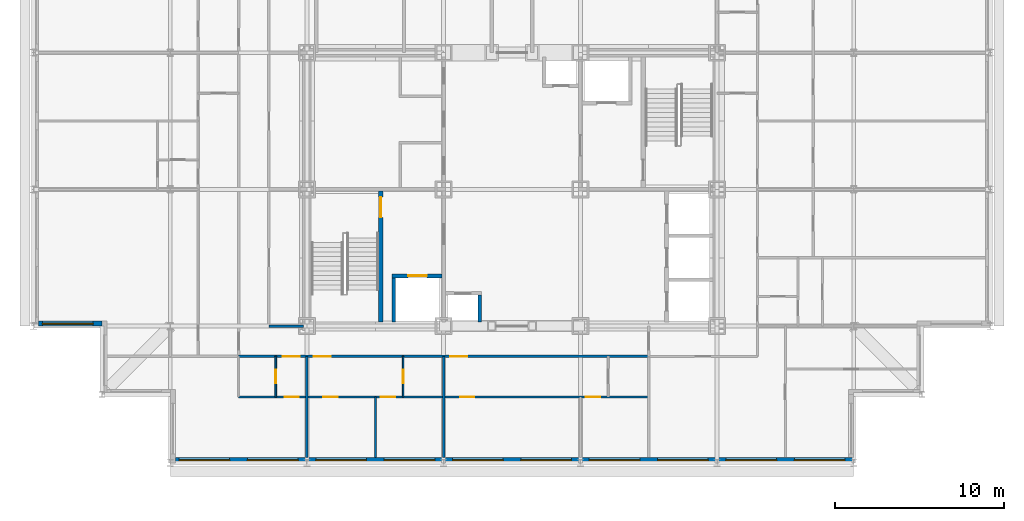
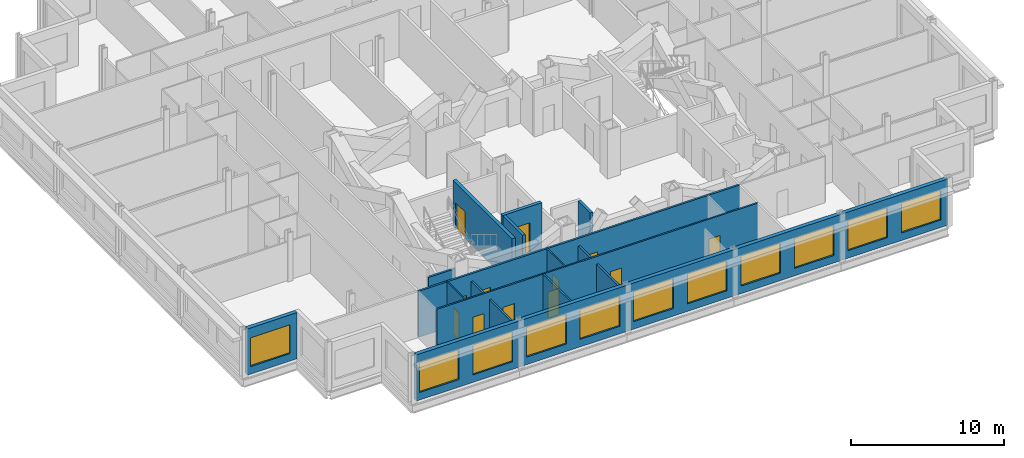
# One storey, part 7 of 15: 14 walls, 12 doors, 11 windows, 23 openings.
"""IFC4 building model written with IfcOpenShell, lengths in metres."""

from ifc_helpers import new_model, si_unit, direction, frame, frame_2d, origin, place, context, subcontext, project, spatial, rectangle, extrude, material, layer, layer_set, type_object, element, fill, save


model = new_model("IFC4")

# Units and contexts
model_context = context("Model", 3, precision=1e-05, world=origin(), true_north=direction((0.0, 1.0)))
body_context = subcontext(model_context, "Body", "Model", "MODEL_VIEW")
ifc_project = project(units=[si_unit("LENGTHUNIT", "METRE"), si_unit("AREAUNIT", "SQUARE_METRE"), si_unit("VOLUMEUNIT", "CUBIC_METRE"), si_unit("PLANEANGLEUNIT", "RADIAN"), si_unit("MASSUNIT", "GRAM", prefix="KILO")], contexts=[model_context])

# Site, building, storey
site_placement = place(None, origin())
site = spatial("IfcSite", under=ifc_project, at=site_placement, CompositionType="ELEMENT")
building_placement = place(site_placement, origin())
building = spatial("IfcBuilding", under=site, at=building_placement, Name="Kopane Lantern Tower", CompositionType="ELEMENT")
storey_placement = place(building_placement, frame((0.0, 0.0, 277.5)))
storey = spatial("IfcBuildingStorey", under=building, at=storey_placement, Name="L71", CompositionType="ELEMENT", Elevation=277.5)

# Wall
ifc_material_1 = material(Name="Gypsum board on steel studs", Category="steel")
ifc_layer_1 = layer(ifc_material_1, 0.1201171875)
ifc_layer_set_1 = layer_set([ifc_layer_1], Name="APARTMENT INTERNAL WALL 120")
wall_type_1 = type_object("IfcWallType", Name="APARTMENT INTERNAL WALL 120", PredefinedType="PARTITIONING", material=ifc_layer_set_1)
wall_1_placement = place(storey_placement, frame((20.25, 20.10009765625, 0.0), z_axis=(0.0, 0.0, 1.0), x_axis=(0.0, -1.0, 0.0)))
element("IfcWall", 1, at=wall_1_placement, inside=storey, type_object=wall_type_1, Name="Apartment Internal Wall 120 L71", PredefinedType="PARTITIONING", context=body_context, shape_type="SweptSolid", body=[
    extrude(rectangle(XDim=3.60009765625, YDim=0.1201171875, at=frame_2d((1.800048828125, 0.0))), origin(), (0.0, 0.0, 1.0), 3.68994140625),
])

# Wall, openings, doors
wall_2_placement = place(storey_placement, frame((12.14990234375, 20.10009765625, 0.0), z_axis=(0.0, 0.0, 1.0), x_axis=(1.0, 0.0, 0.0)))
wall_2 = element("IfcWall", 2, at=wall_2_placement, inside=storey, type_object=wall_type_1, Name="Apartment Internal Wall 120 L71", PredefinedType="PARTITIONING", context=body_context, shape_type="SweptSolid", body=[
    extrude(rectangle(XDim=24.300048828125, YDim=0.1201171875, at=frame_2d((12.14990234375, 0.0))), origin(), (0.0, 0.0, 1.0), 3.68994140625),
])
opening_1_placement = place(wall_2_placement, frame((5.02490234375, 0.0, 0.0)))
opening_1 = element("IfcOpeningElement", 3, at=opening_1_placement, cuts=wall_2, Name="Opening L71-010", PredefinedType="OPENING", context=body_context, shape_type="SweptSolid", body=[
    extrude(rectangle(XDim=0.85009765625, YDim=2.10009765625, at=frame_2d((0.425048828125, 1.050048828125))), frame((0.0, 0.070068359375, 0.0), z_axis=(0.0, -1.0, 0.0), x_axis=(1.0, 0.0, 0.0)), (0.0, 0.0, 1.0), 0.14013671875),
])
opening_2_placement = place(wall_2_placement, frame((8.425048828125, 0.0, 0.0)))
opening_2 = element("IfcOpeningElement", 4, at=opening_2_placement, cuts=wall_2, Name="Opening L71-011", PredefinedType="OPENING", context=body_context, shape_type="SweptSolid", body=[
    extrude(rectangle(XDim=0.85009765625, YDim=2.10009765625, at=frame_2d((0.425048828125, 1.050048828125))), frame((0.0, 0.070068359375, 0.0), z_axis=(0.0, -1.0, 0.0), x_axis=(1.0, 0.0, 0.0)), (0.0, 0.0, 1.0), 0.14013671875),
])
opening_3_placement = place(wall_2_placement, frame((13.125, 0.0, 0.0)))
opening_3 = element("IfcOpeningElement", 5, at=opening_3_placement, cuts=wall_2, Name="Opening L71-014", PredefinedType="OPENING", context=body_context, shape_type="SweptSolid", body=[
    extrude(rectangle(XDim=0.85009765625, YDim=2.10009765625, at=frame_2d((0.425048828125, 1.050048828125))), frame((0.0, 0.070068359375, 0.0), z_axis=(0.0, -1.0, 0.0), x_axis=(1.0, 0.0, 0.0)), (0.0, 0.0, 1.0), 0.14013671875),
])
opening_4_placement = place(wall_2_placement, frame((20.574951171875, 0.0, 0.0)))
opening_4 = element("IfcOpeningElement", 6, at=opening_4_placement, cuts=wall_2, Name="Opening L71-015", PredefinedType="OPENING", context=body_context, shape_type="SweptSolid", body=[
    extrude(rectangle(XDim=0.85009765625, YDim=2.10009765625, at=frame_2d((0.425048828125, 1.050048828125))), frame((0.0, 0.070068359375, 0.0), z_axis=(0.0, -1.0, 0.0), x_axis=(1.0, 0.0, 0.0)), (0.0, 0.0, 1.0), 0.14013671875),
])
opening_5_placement = place(wall_2_placement, frame((2.72509765625, 0.0, 0.0)))
opening_5 = element("IfcOpeningElement", 7, at=opening_5_placement, cuts=wall_2, Name="Opening L71-040", PredefinedType="OPENING", context=body_context, shape_type="SweptSolid", body=[
    extrude(rectangle(XDim=0.85009765625, YDim=2.10009765625, at=frame_2d((0.425048828125, 1.050048828125))), frame((0.0, 0.070068359375, 0.0), z_axis=(0.0, -1.0, 0.0), x_axis=(1.0, 0.0, 0.0)), (0.0, 0.0, 1.0), 0.14013671875),
])
ifc_material_2 = material(Name="Timber door set", Category="wood")
door_type_1 = type_object("IfcDoorType", Name="DOOR D4 850x2100", OperationType="SINGLE_SWING_LEFT", PredefinedType="DOOR", material=ifc_material_2)
door_1_placement = place(opening_1_placement, origin())
door_1 = element("IfcDoor", 8, at=door_1_placement, inside=storey, type_object=door_type_1, Name="Door L71-010", OperationType="SINGLE_SWING_LEFT", OverallHeight=2.10009765625, OverallWidth=0.85009765625, PredefinedType="DOOR", context=body_context, shape_type="SweptSolid", body=[
    extrude(rectangle(XDim=0.85009765625, YDim=2.10009765625, at=frame_2d((0.425048828125, 1.050048828125))), frame((0.0, 0.02490234375, 0.0), z_axis=(0.0, -1.0, 0.0), x_axis=(1.0, 0.0, 0.0)), (0.0, 0.0, 1.0), 0.050048828125),
])
fill(opening_1, door_1)
door_2_placement = place(opening_2_placement, origin())
door_2 = element("IfcDoor", 9, at=door_2_placement, inside=storey, type_object=door_type_1, Name="Door L71-011", OperationType="SINGLE_SWING_RIGHT", OverallHeight=2.10009765625, OverallWidth=0.85009765625, PredefinedType="DOOR", context=body_context, shape_type="SweptSolid", body=[
    extrude(rectangle(XDim=0.85009765625, YDim=2.10009765625, at=frame_2d((0.425048828125, 1.050048828125))), frame((0.0, 0.02490234375, 0.0), z_axis=(0.0, -1.0, 0.0), x_axis=(1.0, 0.0, 0.0)), (0.0, 0.0, 1.0), 0.050048828125),
])
fill(opening_2, door_2)
door_3_placement = place(opening_3_placement, origin())
door_3 = element("IfcDoor", 10, at=door_3_placement, inside=storey, type_object=door_type_1, Name="Door L71-014", OperationType="SINGLE_SWING_RIGHT", OverallHeight=2.10009765625, OverallWidth=0.85009765625, PredefinedType="DOOR", context=body_context, shape_type="SweptSolid", body=[
    extrude(rectangle(XDim=0.85009765625, YDim=2.10009765625, at=frame_2d((0.425048828125, 1.050048828125))), frame((0.0, 0.02490234375, 0.0), z_axis=(0.0, -1.0, 0.0), x_axis=(1.0, 0.0, 0.0)), (0.0, 0.0, 1.0), 0.050048828125),
])
fill(opening_3, door_3)
door_4_placement = place(opening_4_placement, origin())
door_4 = element("IfcDoor", 11, at=door_4_placement, inside=storey, type_object=door_type_1, Name="Door L71-015", OperationType="SINGLE_SWING_RIGHT", OverallHeight=2.10009765625, OverallWidth=0.85009765625, PredefinedType="DOOR", context=body_context, shape_type="SweptSolid", body=[
    extrude(rectangle(XDim=0.85009765625, YDim=2.10009765625, at=frame_2d((0.425048828125, 1.050048828125))), frame((0.0, 0.02490234375, 0.0), z_axis=(0.0, -1.0, 0.0), x_axis=(1.0, 0.0, 0.0)), (0.0, 0.0, 1.0), 0.050048828125),
])
fill(opening_4, door_4)
door_5_placement = place(opening_5_placement, origin())
door_5 = element("IfcDoor", 12, at=door_5_placement, inside=storey, type_object=door_type_1, Name="Door L71-040", OperationType="SINGLE_SWING_LEFT", OverallHeight=2.10009765625, OverallWidth=0.85009765625, PredefinedType="DOOR", context=body_context, shape_type="SweptSolid", body=[
    extrude(rectangle(XDim=0.85009765625, YDim=2.10009765625, at=frame_2d((0.425048828125, 1.050048828125))), frame((0.0, 0.02490234375, 0.0), z_axis=(0.0, -1.0, 0.0), x_axis=(1.0, 0.0, 0.0)), (0.0, 0.0, 1.0), 0.050048828125),
])
fill(opening_5, door_5)

# Wall, opening, door
ifc_material_3 = material(Name="Moisture-resistant board on steel studs", Category="steel")
ifc_layer_2 = layer(ifc_material_3, 0.10009765625)
ifc_layer_set_2 = layer_set([ifc_layer_2], Name="BATHROOM WALL 100")
wall_type_2 = type_object("IfcWallType", Name="BATHROOM WALL 100", PredefinedType="PARTITIONING", material=ifc_layer_set_2)
wall_3_placement = place(storey_placement, frame((21.89990234375, 22.5, 0.0), z_axis=(0.0, 0.0, 1.0), x_axis=(0.0, -1.0, 0.0)))
wall_3 = element("IfcWall", 13, at=wall_3_placement, inside=storey, type_object=wall_type_2, Name="Bathroom Wall 100 L71", PredefinedType="PARTITIONING", context=body_context, shape_type="SweptSolid", body=[
    extrude(rectangle(XDim=2.39990234375, YDim=0.10009765625, at=frame_2d((1.199951171875, 0.0))), origin(), (0.0, 0.0, 1.0), 3.68994140625),
])
opening_6_placement = place(wall_3_placement, frame((0.800048828125, 0.0, 0.0)))
opening_6 = element("IfcOpeningElement", 14, at=opening_6_placement, cuts=wall_3, Name="Opening L71-008", PredefinedType="OPENING", context=body_context, shape_type="SweptSolid", body=[
    extrude(rectangle(XDim=0.800048828125, YDim=2.10009765625, at=frame_2d((0.39990234375, 1.050048828125))), frame((0.0, 0.06005859375, 0.0), z_axis=(0.0, -1.0, 0.0), x_axis=(1.0, 0.0, 0.0)), (0.0, 0.0, 1.0), 0.1201171875),
])
ifc_material_4 = material(Name="Timber door set", Category="wood")
door_type_2 = type_object("IfcDoorType", Name="DOOR D2 800x2100", OperationType="SINGLE_SWING_LEFT", PredefinedType="DOOR", material=ifc_material_4)
door_6_placement = place(opening_6_placement, origin())
door_6 = element("IfcDoor", 15, at=door_6_placement, inside=storey, type_object=door_type_2, Name="Door L71-008", OperationType="SINGLE_SWING_LEFT", OverallHeight=2.10009765625, OverallWidth=0.800048828125, PredefinedType="DOOR", context=body_context, shape_type="SweptSolid", body=[
    extrude(rectangle(XDim=0.800048828125, YDim=2.10009765625, at=frame_2d((0.39990234375, 1.050048828125))), frame((0.0, 0.02490234375, 0.0), z_axis=(0.0, -1.0, 0.0), x_axis=(1.0, 0.0, 0.0)), (0.0, 0.0, 1.0), 0.050048828125),
])
fill(opening_6, door_6)

wall_4_placement = place(storey_placement, frame((14.35009765625, 22.5, 0.0), z_axis=(0.0, 0.0, 1.0), x_axis=(0.0, -1.0, 0.0)))
wall_4 = element("IfcWall", 16, at=wall_4_placement, inside=storey, type_object=wall_type_2, Name="Bathroom Wall 100 L71", PredefinedType="PARTITIONING", context=body_context, shape_type="SweptSolid", body=[
    extrude(rectangle(XDim=2.39990234375, YDim=0.10009765625, at=frame_2d((1.199951171875, 0.0))), origin(), (0.0, 0.0, 1.0), 3.68994140625),
])
opening_7_placement = place(wall_4_placement, frame((0.800048828125, 0.0, 0.0)))
opening_7 = element("IfcOpeningElement", 17, at=opening_7_placement, cuts=wall_4, Name="Opening L71-038", PredefinedType="OPENING", context=body_context, shape_type="SweptSolid", body=[
    extrude(rectangle(XDim=0.800048828125, YDim=2.10009765625, at=frame_2d((0.39990234375, 1.050048828125))), frame((0.0, 0.06005859375, 0.0), z_axis=(0.0, -1.0, 0.0), x_axis=(1.0, 0.0, 0.0)), (0.0, 0.0, 1.0), 0.1201171875),
])
door_7_placement = place(opening_7_placement, origin())
door_7 = element("IfcDoor", 18, at=door_7_placement, inside=storey, type_object=door_type_2, Name="Door L71-038", OperationType="SINGLE_SWING_RIGHT", OverallHeight=2.10009765625, OverallWidth=0.800048828125, PredefinedType="DOOR", context=body_context, shape_type="SweptSolid", body=[
    extrude(rectangle(XDim=0.800048828125, YDim=2.10009765625, at=frame_2d((0.39990234375, 1.050048828125))), frame((0.0, 0.02490234375, 0.0), z_axis=(0.0, -1.0, 0.0), x_axis=(1.0, 0.0, 0.0)), (0.0, 0.0, 1.0), 0.050048828125),
])
fill(opening_7, door_7)

ifc_material_5 = material(Name="Gypsum shaft wall EI 120", Category="gypsum")
ifc_layer_3 = layer(ifc_material_5, 0.25)
ifc_layer_set_3 = layer_set([ifc_layer_3], Name="CORE SHAFT WALL 250 EI 120")
wall_type_3 = type_object("IfcWallType", Name="CORE SHAFT WALL 250 EI 120", PredefinedType="SOLIDWALL", material=ifc_layer_set_3)
wall_5_placement = place(storey_placement, frame((20.574951171875, 24.550048828125, 0.0), z_axis=(0.0, 0.0, 1.0), x_axis=(0.0, 1.0, 0.0)))
wall_5 = element("IfcWall", 19, at=wall_5_placement, inside=storey, type_object=wall_type_3, Name="Core shaft wall L71 XST1", PredefinedType="SOLIDWALL", context=body_context, shape_type="SweptSolid", body=[
    extrude(rectangle(XDim=7.75, YDim=0.25, at=frame_2d((3.875, 0.0))), origin(), (0.0, 0.0, 1.0), 3.68994140625),
])
opening_8_placement = place(wall_5_placement, frame((6.199951171875, 0.0, 0.0)))
opening_8 = element("IfcOpeningElement", 20, at=opening_8_placement, cuts=wall_5, Name="Opening 71.SD1", PredefinedType="OPENING", context=body_context, shape_type="SweptSolid", body=[
    extrude(rectangle(XDim=1.199951171875, YDim=2.10009765625, at=frame_2d((0.60009765625, 1.050048828125))), frame((0.0, 0.135009765625, 0.0), z_axis=(0.0, -1.0, 0.0), x_axis=(1.0, 0.0, 0.0)), (0.0, 0.0, 1.0), 0.27001953125),
])
ifc_material_6 = material(Name="Steel door set", Category="steel")
door_type_3 = type_object("IfcDoorType", Name="STAIR DOOR 1200x2100 FD60S", OperationType="SINGLE_SWING_LEFT", PredefinedType="DOOR", material=ifc_material_6)
door_8_placement = place(opening_8_placement, origin())
door_8 = element("IfcDoor", 21, at=door_8_placement, inside=storey, type_object=door_type_3, Name="Stair door ST1 L71", OperationType="SINGLE_SWING_LEFT", OverallHeight=2.10009765625, OverallWidth=1.199951171875, PredefinedType="DOOR", context=body_context, shape_type="SweptSolid", body=[
    extrude(rectangle(XDim=1.199951171875, YDim=2.10009765625, at=frame_2d((0.60009765625, 1.050048828125))), frame((0.0, 0.02490234375, 0.0), z_axis=(0.0, -1.0, 0.0), x_axis=(1.0, 0.0, 0.0)), (0.0, 0.0, 1.0), 0.050048828125),
])
fill(opening_8, door_8)

wall_6_placement = place(storey_placement, frame((21.25, 27.27490234375, 0.0), z_axis=(0.0, 0.0, 1.0), x_axis=(1.0, 0.0, 0.0)))
wall_6 = element("IfcWall", 22, at=wall_6_placement, inside=storey, type_object=wall_type_3, Name="Core shaft wall L71 YLF1", PredefinedType="SOLIDWALL", context=body_context, shape_type="SweptSolid", body=[
    extrude(rectangle(XDim=2.949951171875, YDim=0.25, at=frame_2d((1.47509765625, 0.0))), origin(), (0.0, 0.0, 1.0), 3.68994140625),
])
opening_9_placement = place(wall_6_placement, frame((0.949951171875, 0.0, 0.0)))
opening_9 = element("IfcOpeningElement", 23, at=opening_9_placement, cuts=wall_6, Name="Opening 71.LD-LF1", PredefinedType="OPENING", context=body_context, shape_type="SweptSolid", body=[
    extrude(rectangle(XDim=1.10009765625, YDim=2.39990234375, at=frame_2d((0.550048828125, 1.199951171875))), frame((0.0, 0.135009765625, 0.0), z_axis=(0.0, -1.0, 0.0), x_axis=(1.0, 0.0, 0.0)), (0.0, 0.0, 1.0), 0.27001953125),
])
ifc_material_7 = material(Name="Steel door set", Category="steel")
door_type_4 = type_object("IfcDoorType", Name="LIFT LANDING DOOR 1100x2400 FD60", OperationType="DOUBLE_DOOR_SLIDING", PredefinedType="DOOR", material=ifc_material_7)
door_9_placement = place(opening_9_placement, origin())
door_9 = element("IfcDoor", 24, at=door_9_placement, inside=storey, type_object=door_type_4, Name="Landing door LF1 L71", OperationType="DOUBLE_DOOR_SLIDING", OverallHeight=2.39990234375, OverallWidth=1.10009765625, PredefinedType="DOOR", context=body_context, shape_type="SweptSolid", body=[
    extrude(rectangle(XDim=1.10009765625, YDim=2.39990234375, at=frame_2d((0.550048828125, 1.199951171875))), frame((0.0, 0.02490234375, 0.0), z_axis=(0.0, -1.0, 0.0), x_axis=(1.0, 0.0, 0.0)), (0.0, 0.0, 1.0), 0.050048828125),
])
fill(opening_9, door_9)

# Wall, openings, doors
ifc_material_8 = material(Name="Gypsum board on steel studs", Category="steel")
ifc_layer_4 = layer(ifc_material_8, 0.14990234375)
ifc_layer_set_4 = layer_set([ifc_layer_4], Name="CORRIDOR WALL 150 EI 60")
wall_type_4 = type_object("IfcWallType", Name="CORRIDOR WALL 150 EI 60", PredefinedType="PARTITIONING", material=ifc_layer_set_4)
wall_7_placement = place(storey_placement, frame((12.14990234375, 22.5, 0.0), z_axis=(0.0, 0.0, 1.0), x_axis=(1.0, 0.0, 0.0)))
wall_7 = element("IfcWall", 25, at=wall_7_placement, inside=storey, type_object=wall_type_4, Name="Corridor Wall 150 Ei 60 L71", PredefinedType="PARTITIONING", context=body_context, shape_type="SweptSolid", body=[
    extrude(rectangle(XDim=24.300048828125, YDim=0.14990234375, at=frame_2d((12.14990234375, 0.0))), origin(), (0.0, 0.0, 1.0), 3.68994140625),
])
opening_10_placement = place(wall_7_placement, frame((4.449951171875, 0.0, 0.0)))
opening_10 = element("IfcOpeningElement", 26, at=opening_10_placement, cuts=wall_7, Name="Opening L71-009", PredefinedType="OPENING", context=body_context, shape_type="SweptSolid", body=[
    extrude(rectangle(XDim=1.0, YDim=2.10009765625, at=frame_2d((0.5, 1.050048828125))), frame((0.0, 0.0849609375, 0.0), z_axis=(0.0, -1.0, 0.0), x_axis=(1.0, 0.0, 0.0)), (0.0, 0.0, 1.0), 0.169921875),
])
opening_11_placement = place(wall_7_placement, frame((12.550048828125, 0.0, 0.0)))
opening_11 = element("IfcOpeningElement", 27, at=opening_11_placement, cuts=wall_7, Name="Opening L71-013", PredefinedType="OPENING", context=body_context, shape_type="SweptSolid", body=[
    extrude(rectangle(XDim=1.0, YDim=2.10009765625, at=frame_2d((0.5, 1.050048828125))), frame((0.0, 0.0849609375, 0.0), z_axis=(0.0, -1.0, 0.0), x_axis=(1.0, 0.0, 0.0)), (0.0, 0.0, 1.0), 0.169921875),
])
opening_12_placement = place(wall_7_placement, frame((2.625, 0.0, 0.0)))
opening_12 = element("IfcOpeningElement", 28, at=opening_12_placement, cuts=wall_7, Name="Opening L71-039", PredefinedType="OPENING", context=body_context, shape_type="SweptSolid", body=[
    extrude(rectangle(XDim=1.0, YDim=2.10009765625, at=frame_2d((0.5, 1.050048828125))), frame((0.0, 0.0849609375, 0.0), z_axis=(0.0, -1.0, 0.0), x_axis=(1.0, 0.0, 0.0)), (0.0, 0.0, 1.0), 0.169921875),
])
ifc_material_9 = material(Name="Steel door set", Category="steel")
door_type_5 = type_object("IfcDoorType", Name="DOOR D3 1000x2100 FD30S", OperationType="SINGLE_SWING_LEFT", PredefinedType="DOOR", material=ifc_material_9)
door_10_placement = place(opening_10_placement, origin())
door_10 = element("IfcDoor", 29, at=door_10_placement, inside=storey, type_object=door_type_5, Name="Door L71-009", OperationType="SINGLE_SWING_RIGHT", OverallHeight=2.10009765625, OverallWidth=1.0, PredefinedType="DOOR", context=body_context, shape_type="SweptSolid", body=[
    extrude(rectangle(XDim=1.0, YDim=2.10009765625, at=frame_2d((0.5, 1.050048828125))), frame((0.0, 0.02490234375, 0.0), z_axis=(0.0, -1.0, 0.0), x_axis=(1.0, 0.0, 0.0)), (0.0, 0.0, 1.0), 0.050048828125),
])
fill(opening_10, door_10)
door_11_placement = place(opening_11_placement, origin())
door_11 = element("IfcDoor", 30, at=door_11_placement, inside=storey, type_object=door_type_5, Name="Door L71-013", OperationType="SINGLE_SWING_RIGHT", OverallHeight=2.10009765625, OverallWidth=1.0, PredefinedType="DOOR", context=body_context, shape_type="SweptSolid", body=[
    extrude(rectangle(XDim=1.0, YDim=2.10009765625, at=frame_2d((0.5, 1.050048828125))), frame((0.0, 0.02490234375, 0.0), z_axis=(0.0, -1.0, 0.0), x_axis=(1.0, 0.0, 0.0)), (0.0, 0.0, 1.0), 0.050048828125),
])
fill(opening_11, door_11)
door_12_placement = place(opening_12_placement, origin())
door_12 = element("IfcDoor", 31, at=door_12_placement, inside=storey, type_object=door_type_5, Name="Door L71-039", OperationType="SINGLE_SWING_RIGHT", OverallHeight=2.10009765625, OverallWidth=1.0, PredefinedType="DOOR", context=body_context, shape_type="SweptSolid", body=[
    extrude(rectangle(XDim=1.0, YDim=2.10009765625, at=frame_2d((0.5, 1.050048828125))), frame((0.0, 0.02490234375, 0.0), z_axis=(0.0, -1.0, 0.0), x_axis=(1.0, 0.0, 0.0)), (0.0, 0.0, 1.0), 0.050048828125),
])
fill(opening_12, door_12)

# Walls
wall_8_placement = place(storey_placement, frame((16.0, 24.300048828125, 0.0), z_axis=(0.0, 0.0, 1.0), x_axis=(-1.0, 0.0, 0.0)))
element("IfcWall", 32, at=wall_8_placement, inside=storey, type_object=wall_type_4, Name="Corridor Wall 150 Ei 60 L71", PredefinedType="PARTITIONING", context=body_context, shape_type="SweptSolid", body=[
    extrude(rectangle(XDim=2.050048828125, YDim=0.14990234375, at=frame_2d((1.02490234375, 0.0))), origin(), (0.0, 0.0, 1.0), 3.077880859375),
])
ifc_material_10 = material(Name="Gypsum board on steel studs", Category="steel")
ifc_layer_5 = layer(ifc_material_10, 0.14990234375)
ifc_layer_set_5 = layer_set([ifc_layer_5], Name="DEMISING WALL 150 EI 60")
wall_type_5 = type_object("IfcWallType", Name="DEMISING WALL 150 EI 60", PredefinedType="PARTITIONING", material=ifc_layer_set_5)
for number, where, z_axis, x_axis, name in (
    (33, (24.300048828125, 22.5, 0.0), (0.0, 0.0, 1.0), (0.0, -1.0, 0.0), "Demising Wall 150 Ei 60 L71"),
    (34, (16.199951171875, 22.5, 0.0), (0.0, 0.0, 1.0), (0.0, -1.0, 0.0), "Demising Wall 150 Ei 60 L71"),
):
    element("IfcWall", number, at=place(storey_placement, frame(where, z_axis=z_axis, x_axis=x_axis)), inside=storey, type_object=wall_type_5, Name=name, PredefinedType="PARTITIONING", context=body_context, shape_type="SweptSolid", body=[
        extrude(rectangle(XDim=6.0, YDim=0.14990234375, at=frame_2d((3.0, 0.0))), origin(), (0.0, 0.0, 1.0), 3.077880859375),
    ])

# Wall, openings, windows
ifc_material_11 = material(Name="Terracotta rainscreen on light steel framing", Category="masonry")
ifc_layer_6 = layer(ifc_material_11, 0.300048828125)
ifc_layer_set_6 = layer_set([ifc_layer_6], Name="EXTERNAL WALL EW1 300 TERRACOTTA")
wall_type_6 = type_object("IfcWallType", Name="EXTERNAL WALL EW1 300 TERRACOTTA", PredefinedType="SOLIDWALL", material=ifc_layer_set_6)
wall_9_placement = place(storey_placement, frame((8.39990234375, 16.35009765625, 0.0), z_axis=(0.0, 0.0, 1.0), x_axis=(1.0, 0.0, 0.0)))
wall_9 = element("IfcWall", 35, at=wall_9_placement, inside=storey, type_object=wall_type_6, Name="External wall S L71", PredefinedType="SOLIDWALL", context=body_context, shape_type="SweptSolid", body=[
    extrude(rectangle(XDim=40.2001953125, YDim=0.300048828125, at=frame_2d((20.10009765625, 0.0))), origin(), (0.0, 0.0, 1.0), 3.68994140625),
])
opening_13_placement = place(wall_9_placement, frame((0.22509765625, 0.0, 0.60009765625)))
opening_13 = element("IfcOpeningElement", 36, at=opening_13_placement, cuts=wall_9, Name="Opening WR300240", PredefinedType="OPENING", context=body_context, shape_type="SweptSolid", body=[
    extrude(rectangle(XDim=3.0, YDim=2.39990234375, at=frame_2d((1.5, 1.199951171875))), frame((0.0, 0.159912109375, 0.0), z_axis=(0.0, -1.0, 0.0), x_axis=(1.0, 0.0, 0.0)), (0.0, 0.0, 1.0), 0.320068359375),
])
opening_14_placement = place(wall_9_placement, frame((4.27490234375, 0.0, 0.60009765625)))
opening_14 = element("IfcOpeningElement", 37, at=opening_14_placement, cuts=wall_9, Name="Opening WR300240", PredefinedType="OPENING", context=body_context, shape_type="SweptSolid", body=[
    extrude(rectangle(XDim=3.0, YDim=2.39990234375, at=frame_2d((1.5, 1.199951171875))), frame((0.0, 0.159912109375, 0.0), z_axis=(0.0, -1.0, 0.0), x_axis=(1.0, 0.0, 0.0)), (0.0, 0.0, 1.0), 0.320068359375),
])
opening_15_placement = place(wall_9_placement, frame((8.324951171875, 0.0, 0.60009765625)))
opening_15 = element("IfcOpeningElement", 38, at=opening_15_placement, cuts=wall_9, Name="Opening WR300240", PredefinedType="OPENING", context=body_context, shape_type="SweptSolid", body=[
    extrude(rectangle(XDim=3.0, YDim=2.39990234375, at=frame_2d((1.5, 1.199951171875))), frame((0.0, 0.159912109375, 0.0), z_axis=(0.0, -1.0, 0.0), x_axis=(1.0, 0.0, 0.0)), (0.0, 0.0, 1.0), 0.320068359375),
])
opening_16_placement = place(wall_9_placement, frame((12.375, 0.0, 0.60009765625)))
opening_16 = element("IfcOpeningElement", 39, at=opening_16_placement, cuts=wall_9, Name="Opening WR300240", PredefinedType="OPENING", context=body_context, shape_type="SweptSolid", body=[
    extrude(rectangle(XDim=3.0, YDim=2.39990234375, at=frame_2d((1.5, 1.199951171875))), frame((0.0, 0.159912109375, 0.0), z_axis=(0.0, -1.0, 0.0), x_axis=(1.0, 0.0, 0.0)), (0.0, 0.0, 1.0), 0.320068359375),
])
opening_17_placement = place(wall_9_placement, frame((16.425048828125, 0.0, 0.60009765625)))
opening_17 = element("IfcOpeningElement", 40, at=opening_17_placement, cuts=wall_9, Name="Opening WR300240", PredefinedType="OPENING", context=body_context, shape_type="SweptSolid", body=[
    extrude(rectangle(XDim=3.0, YDim=2.39990234375, at=frame_2d((1.5, 1.199951171875))), frame((0.0, 0.159912109375, 0.0), z_axis=(0.0, -1.0, 0.0), x_axis=(1.0, 0.0, 0.0)), (0.0, 0.0, 1.0), 0.320068359375),
])
opening_18_placement = place(wall_9_placement, frame((20.47509765625, 0.0, 0.60009765625)))
opening_18 = element("IfcOpeningElement", 41, at=opening_18_placement, cuts=wall_9, Name="Opening WR300240", PredefinedType="OPENING", context=body_context, shape_type="SweptSolid", body=[
    extrude(rectangle(XDim=3.0, YDim=2.39990234375, at=frame_2d((1.5, 1.199951171875))), frame((0.0, 0.159912109375, 0.0), z_axis=(0.0, -1.0, 0.0), x_axis=(1.0, 0.0, 0.0)), (0.0, 0.0, 1.0), 0.320068359375),
])
opening_19_placement = place(wall_9_placement, frame((24.52490234375, 0.0, 0.60009765625)))
opening_19 = element("IfcOpeningElement", 42, at=opening_19_placement, cuts=wall_9, Name="Opening WR300240", PredefinedType="OPENING", context=body_context, shape_type="SweptSolid", body=[
    extrude(rectangle(XDim=3.0, YDim=2.39990234375, at=frame_2d((1.5, 1.199951171875))), frame((0.0, 0.159912109375, 0.0), z_axis=(0.0, -1.0, 0.0), x_axis=(1.0, 0.0, 0.0)), (0.0, 0.0, 1.0), 0.320068359375),
])
opening_20_placement = place(wall_9_placement, frame((28.574951171875, 0.0, 0.60009765625)))
opening_20 = element("IfcOpeningElement", 43, at=opening_20_placement, cuts=wall_9, Name="Opening WR300240", PredefinedType="OPENING", context=body_context, shape_type="SweptSolid", body=[
    extrude(rectangle(XDim=3.0, YDim=2.39990234375, at=frame_2d((1.5, 1.199951171875))), frame((0.0, 0.159912109375, 0.0), z_axis=(0.0, -1.0, 0.0), x_axis=(1.0, 0.0, 0.0)), (0.0, 0.0, 1.0), 0.320068359375),
])
opening_21_placement = place(wall_9_placement, frame((32.625, 0.0, 0.60009765625)))
opening_21 = element("IfcOpeningElement", 44, at=opening_21_placement, cuts=wall_9, Name="Opening WR300240", PredefinedType="OPENING", context=body_context, shape_type="SweptSolid", body=[
    extrude(rectangle(XDim=3.0, YDim=2.39990234375, at=frame_2d((1.5, 1.199951171875))), frame((0.0, 0.159912109375, 0.0), z_axis=(0.0, -1.0, 0.0), x_axis=(1.0, 0.0, 0.0)), (0.0, 0.0, 1.0), 0.320068359375),
])
opening_22_placement = place(wall_9_placement, frame((36.675048828125, 0.0, 0.60009765625)))
opening_22 = element("IfcOpeningElement", 45, at=opening_22_placement, cuts=wall_9, Name="Opening WR300240", PredefinedType="OPENING", context=body_context, shape_type="SweptSolid", body=[
    extrude(rectangle(XDim=3.0, YDim=2.39990234375, at=frame_2d((1.5, 1.199951171875))), frame((0.0, 0.159912109375, 0.0), z_axis=(0.0, -1.0, 0.0), x_axis=(1.0, 0.0, 0.0)), (0.0, 0.0, 1.0), 0.320068359375),
])
ifc_material_12 = material(Name="Aluminium and clear glass", Category="aluminium")
window_type_1 = type_object("IfcWindowType", Name="RIBBON WINDOW WR300240 3000x2400", PartitioningType="SINGLE_PANEL", PredefinedType="WINDOW", material=ifc_material_12)
window_1_placement = place(opening_13_placement, origin())
window_1 = element("IfcWindow", 46, at=window_1_placement, inside=storey, type_object=window_type_1, Name="Window S L71", OverallHeight=2.39990234375, OverallWidth=3.0, PartitioningType="SINGLE_PANEL", PredefinedType="WINDOW", context=body_context, shape_type="SweptSolid", body=[
    extrude(rectangle(XDim=3.0, YDim=2.39990234375, at=frame_2d((1.5, 1.199951171875))), frame((0.0, 0.030029296875, 0.0), z_axis=(0.0, -1.0, 0.0), x_axis=(1.0, 0.0, 0.0)), (0.0, 0.0, 1.0), 0.06005859375),
])
fill(opening_13, window_1)
window_2_placement = place(opening_14_placement, origin())
window_2 = element("IfcWindow", 47, at=window_2_placement, inside=storey, type_object=window_type_1, Name="Window S L71", OverallHeight=2.39990234375, OverallWidth=3.0, PartitioningType="SINGLE_PANEL", PredefinedType="WINDOW", context=body_context, shape_type="SweptSolid", body=[
    extrude(rectangle(XDim=3.0, YDim=2.39990234375, at=frame_2d((1.5, 1.199951171875))), frame((0.0, 0.030029296875, 0.0), z_axis=(0.0, -1.0, 0.0), x_axis=(1.0, 0.0, 0.0)), (0.0, 0.0, 1.0), 0.06005859375),
])
fill(opening_14, window_2)
window_3_placement = place(opening_15_placement, origin())
window_3 = element("IfcWindow", 48, at=window_3_placement, inside=storey, type_object=window_type_1, Name="Window S L71", OverallHeight=2.39990234375, OverallWidth=3.0, PartitioningType="SINGLE_PANEL", PredefinedType="WINDOW", context=body_context, shape_type="SweptSolid", body=[
    extrude(rectangle(XDim=3.0, YDim=2.39990234375, at=frame_2d((1.5, 1.199951171875))), frame((0.0, 0.030029296875, 0.0), z_axis=(0.0, -1.0, 0.0), x_axis=(1.0, 0.0, 0.0)), (0.0, 0.0, 1.0), 0.06005859375),
])
fill(opening_15, window_3)
window_4_placement = place(opening_16_placement, origin())
window_4 = element("IfcWindow", 49, at=window_4_placement, inside=storey, type_object=window_type_1, Name="Window S L71", OverallHeight=2.39990234375, OverallWidth=3.0, PartitioningType="SINGLE_PANEL", PredefinedType="WINDOW", context=body_context, shape_type="SweptSolid", body=[
    extrude(rectangle(XDim=3.0, YDim=2.39990234375, at=frame_2d((1.5, 1.199951171875))), frame((0.0, 0.030029296875, 0.0), z_axis=(0.0, -1.0, 0.0), x_axis=(1.0, 0.0, 0.0)), (0.0, 0.0, 1.0), 0.06005859375),
])
fill(opening_16, window_4)
window_5_placement = place(opening_17_placement, origin())
window_5 = element("IfcWindow", 50, at=window_5_placement, inside=storey, type_object=window_type_1, Name="Window S L71", OverallHeight=2.39990234375, OverallWidth=3.0, PartitioningType="SINGLE_PANEL", PredefinedType="WINDOW", context=body_context, shape_type="SweptSolid", body=[
    extrude(rectangle(XDim=3.0, YDim=2.39990234375, at=frame_2d((1.5, 1.199951171875))), frame((0.0, 0.030029296875, 0.0), z_axis=(0.0, -1.0, 0.0), x_axis=(1.0, 0.0, 0.0)), (0.0, 0.0, 1.0), 0.06005859375),
])
fill(opening_17, window_5)
window_6_placement = place(opening_18_placement, origin())
window_6 = element("IfcWindow", 51, at=window_6_placement, inside=storey, type_object=window_type_1, Name="Window S L71", OverallHeight=2.39990234375, OverallWidth=3.0, PartitioningType="SINGLE_PANEL", PredefinedType="WINDOW", context=body_context, shape_type="SweptSolid", body=[
    extrude(rectangle(XDim=3.0, YDim=2.39990234375, at=frame_2d((1.5, 1.199951171875))), frame((0.0, 0.030029296875, 0.0), z_axis=(0.0, -1.0, 0.0), x_axis=(1.0, 0.0, 0.0)), (0.0, 0.0, 1.0), 0.06005859375),
])
fill(opening_18, window_6)
window_7_placement = place(opening_19_placement, origin())
window_7 = element("IfcWindow", 52, at=window_7_placement, inside=storey, type_object=window_type_1, Name="Window S L71", OverallHeight=2.39990234375, OverallWidth=3.0, PartitioningType="SINGLE_PANEL", PredefinedType="WINDOW", context=body_context, shape_type="SweptSolid", body=[
    extrude(rectangle(XDim=3.0, YDim=2.39990234375, at=frame_2d((1.5, 1.199951171875))), frame((0.0, 0.030029296875, 0.0), z_axis=(0.0, -1.0, 0.0), x_axis=(1.0, 0.0, 0.0)), (0.0, 0.0, 1.0), 0.06005859375),
])
fill(opening_19, window_7)
window_8_placement = place(opening_20_placement, origin())
window_8 = element("IfcWindow", 53, at=window_8_placement, inside=storey, type_object=window_type_1, Name="Window S L71", OverallHeight=2.39990234375, OverallWidth=3.0, PartitioningType="SINGLE_PANEL", PredefinedType="WINDOW", context=body_context, shape_type="SweptSolid", body=[
    extrude(rectangle(XDim=3.0, YDim=2.39990234375, at=frame_2d((1.5, 1.199951171875))), frame((0.0, 0.030029296875, 0.0), z_axis=(0.0, -1.0, 0.0), x_axis=(1.0, 0.0, 0.0)), (0.0, 0.0, 1.0), 0.06005859375),
])
fill(opening_20, window_8)
window_9_placement = place(opening_21_placement, origin())
window_9 = element("IfcWindow", 54, at=window_9_placement, inside=storey, type_object=window_type_1, Name="Window S L71", OverallHeight=2.39990234375, OverallWidth=3.0, PartitioningType="SINGLE_PANEL", PredefinedType="WINDOW", context=body_context, shape_type="SweptSolid", body=[
    extrude(rectangle(XDim=3.0, YDim=2.39990234375, at=frame_2d((1.5, 1.199951171875))), frame((0.0, 0.030029296875, 0.0), z_axis=(0.0, -1.0, 0.0), x_axis=(1.0, 0.0, 0.0)), (0.0, 0.0, 1.0), 0.06005859375),
])
fill(opening_21, window_9)
window_10_placement = place(opening_22_placement, origin())
window_10 = element("IfcWindow", 55, at=window_10_placement, inside=storey, type_object=window_type_1, Name="Window S L71", OverallHeight=2.39990234375, OverallWidth=3.0, PartitioningType="SINGLE_PANEL", PredefinedType="WINDOW", context=body_context, shape_type="SweptSolid", body=[
    extrude(rectangle(XDim=3.0, YDim=2.39990234375, at=frame_2d((1.5, 1.199951171875))), frame((0.0, 0.030029296875, 0.0), z_axis=(0.0, -1.0, 0.0), x_axis=(1.0, 0.0, 0.0)), (0.0, 0.0, 1.0), 0.06005859375),
])
fill(opening_22, window_10)

# Wall, opening, window
wall_10_placement = place(storey_placement, frame((0.300048828125, 24.449951171875, 0.0), z_axis=(0.0, 0.0, 1.0), x_axis=(1.0, 0.0, 0.0)))
wall_10 = element("IfcWall", 56, at=wall_10_placement, inside=storey, type_object=wall_type_6, Name="External wall S L71", PredefinedType="SOLIDWALL", context=body_context, shape_type="SweptSolid", body=[
    extrude(rectangle(XDim=3.75, YDim=0.300048828125, at=frame_2d((1.875, 0.0))), origin(), (0.0, 0.0, 1.0), 3.68994140625),
])
opening_23_placement = place(wall_10_placement, frame((0.22509765625, 0.0, 0.60009765625)))
opening_23 = element("IfcOpeningElement", 57, at=opening_23_placement, cuts=wall_10, Name="Opening WR300230", PredefinedType="OPENING", context=body_context, shape_type="SweptSolid", body=[
    extrude(rectangle(XDim=3.0, YDim=2.300048828125, at=frame_2d((1.5, 1.14990234375))), frame((0.0, 0.159912109375, 0.0), z_axis=(0.0, -1.0, 0.0), x_axis=(1.0, 0.0, 0.0)), (0.0, 0.0, 1.0), 0.320068359375),
])
ifc_material_13 = material(Name="Aluminium and clear glass", Category="aluminium")
window_type_2 = type_object("IfcWindowType", Name="RIBBON WINDOW WR300230 3000x2300", PartitioningType="SINGLE_PANEL", PredefinedType="WINDOW", material=ifc_material_13)
window_11_placement = place(opening_23_placement, origin())
window_11 = element("IfcWindow", 58, at=window_11_placement, inside=storey, type_object=window_type_2, Name="Window S L71", OverallHeight=2.300048828125, OverallWidth=3.0, PartitioningType="SINGLE_PANEL", PredefinedType="WINDOW", context=body_context, shape_type="SweptSolid", body=[
    extrude(rectangle(XDim=3.0, YDim=2.300048828125, at=frame_2d((1.5, 1.14990234375))), frame((0.0, 0.030029296875, 0.0), z_axis=(0.0, -1.0, 0.0), x_axis=(1.0, 0.0, 0.0)), (0.0, 0.0, 1.0), 0.06005859375),
])
fill(opening_23, window_11)

# Walls
ifc_material_14 = material(Name="Gypsum shaft wall EI 120", Category="gypsum")
ifc_layer_7 = layer(ifc_material_14, 0.199951171875)
ifc_layer_set_7 = layer_set([ifc_layer_7], Name="SHAFT WALL 200 EI 120")
wall_type_7 = type_object("IfcWallType", Name="SHAFT WALL 200 EI 120", PredefinedType="SOLIDWALL", material=ifc_layer_set_7)
wall_11_placement = place(storey_placement, frame((21.35009765625, 24.550048828125, 0.0), z_axis=(0.0, 0.0, 1.0), x_axis=(0.0, 1.0, 0.0)))
element("IfcWall", 59, at=wall_11_placement, inside=storey, type_object=wall_type_7, Name="Core shaft wall L71 XLF1", PredefinedType="SOLIDWALL", context=body_context, shape_type="SweptSolid", body=[
    extrude(rectangle(XDim=2.599853515625, YDim=0.199951171875, at=frame_2d((1.2998046875, 0.0))), origin(), (0.0, 0.0, 1.0), 3.68994140625),
])
wall_12_placement = place(storey_placement, frame((26.449951171875, 24.550048828125, 0.0), z_axis=(0.0, 0.0, 1.0), x_axis=(0.0, 1.0, 0.0)))
element("IfcWall", 60, at=wall_12_placement, inside=storey, type_object=wall_type_7, Name="Core shaft wall L71 XRS1", PredefinedType="SOLIDWALL", context=body_context, shape_type="SweptSolid", body=[
    extrude(rectangle(XDim=1.599853515625, YDim=0.199951171875, at=frame_2d((0.7998046875, 0.0))), origin(), (0.0, 0.0, 1.0), 3.68994140625),
])

save(model, "model.ifc")
